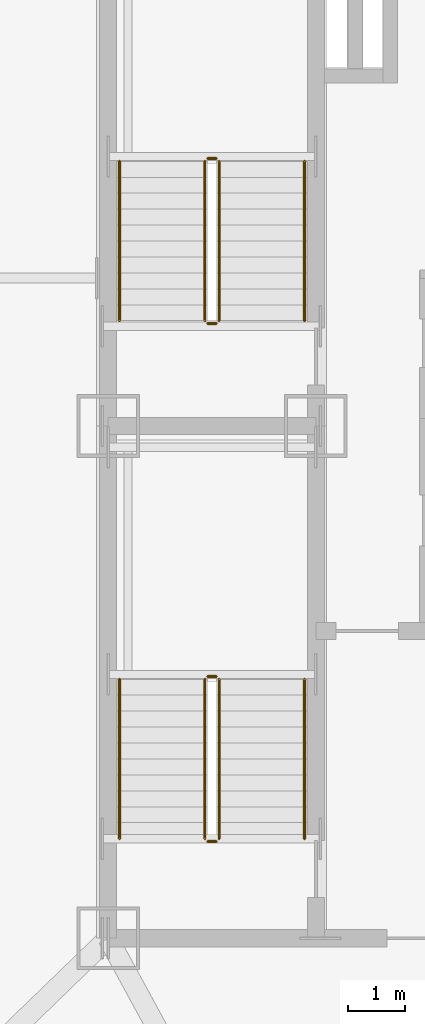
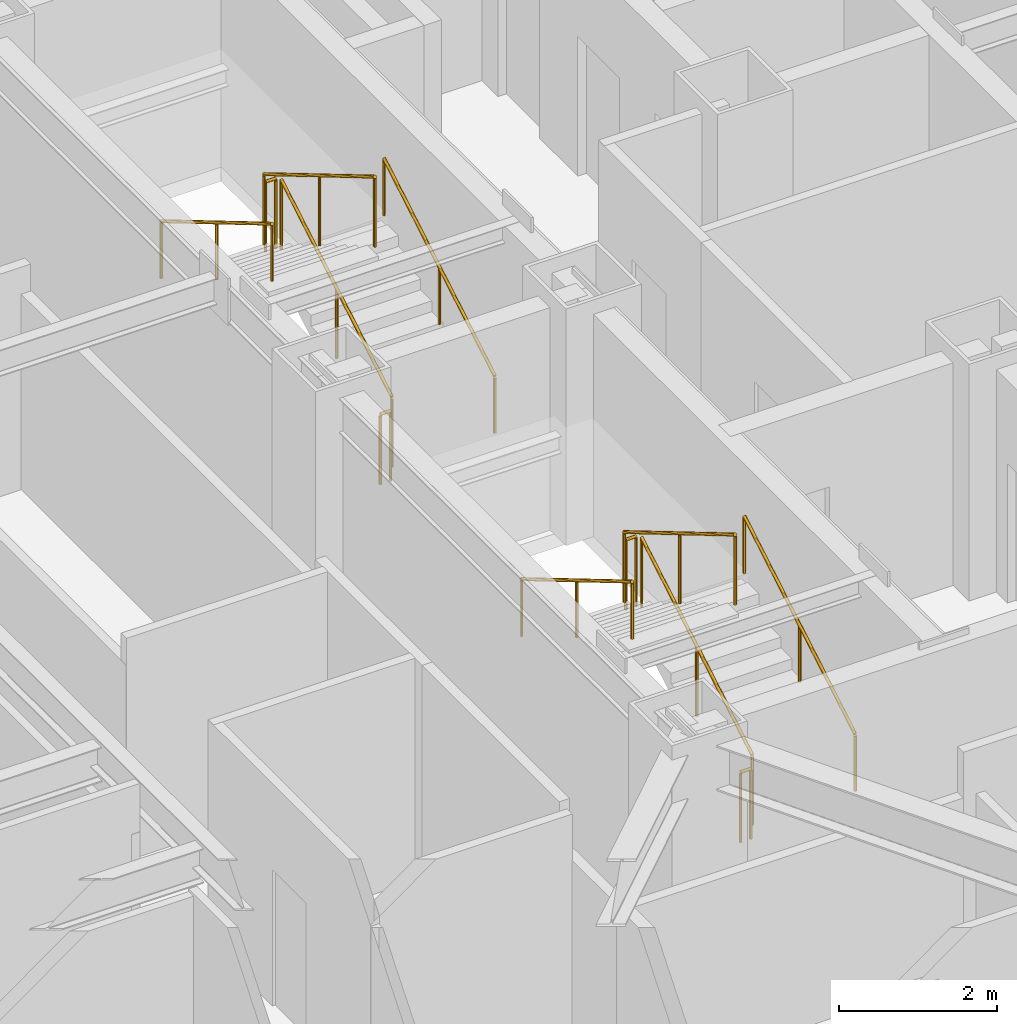
# One storey, part 12 of 12: 12 railings.
"""IFC4 building model written with IfcOpenShell, lengths in metres."""

from ifc_helpers import new_model, si_unit, direction, frame, origin, origin_2d, place, context, subcontext, project, spatial, circle, extrude, material, type_object, element, save


model = new_model("IFC4")

# Units and contexts
model_context = context("Model", 3, precision=1e-05, world=origin(), true_north=direction((0.0, 1.0)))
body_context = subcontext(model_context, "Body", "Model", "MODEL_VIEW")
ifc_project = project(units=[si_unit("LENGTHUNIT", "METRE"), si_unit("AREAUNIT", "SQUARE_METRE"), si_unit("VOLUMEUNIT", "CUBIC_METRE"), si_unit("PLANEANGLEUNIT", "RADIAN"), si_unit("MASSUNIT", "GRAM", prefix="KILO")], contexts=[model_context])

# Site, building, storey
site_placement = place(None, origin())
site = spatial("IfcSite", under=ifc_project, at=site_placement, CompositionType="ELEMENT")
building_placement = place(site_placement, origin())
building = spatial("IfcBuilding", under=site, at=building_placement, Name="Khamvora Tower", CompositionType="ELEMENT")
storey_placement = place(building_placement, frame((0.0, 0.0, 177.800048828125)))
storey = spatial("IfcBuildingStorey", under=building, at=storey_placement, Name="L45", CompositionType="ELEMENT", Elevation=177.800048828125)

# Railings
ifc_material_1 = material(Name="Brushed Stainless Steel 316", Category="steel")
railing_type_1 = type_object("IfcRailingType", Name="RAL-HDR-920", PredefinedType="HANDRAIL", material=ifc_material_1)
railing_1_placement = place(storey_placement, frame((32.449951171875, 20.75, 0.165771484375)))
element("IfcRailing", 1, at=railing_1_placement, inside=storey, type_object=railing_type_1, Name="L45 ST-01 stair handrail 1", PredefinedType="HANDRAIL", context=body_context, shape_type="SweptSolid", body=[
    extrude(circle(Radius=0.02392578125, at=origin_2d()), frame((0.0, 0.0, 0.8759765625), z_axis=(0.0, 0.860306154799, 0.50977771628), x_axis=(-1.0, 0.0, 0.0)), (0.0, 0.0, 1.0), 3.254638671875),
    extrude(circle(Radius=0.02099609375, at=origin_2d()), origin(), (0.0, 0.0, 1.0), 0.851806640625),
    extrude(circle(Radius=0.02099609375, at=origin_2d()), frame((0.0, 1.39990234375, 0.82958984375)), (0.0, 0.0, 1.0), 0.851806640625),
    extrude(circle(Radius=0.02099609375, at=origin_2d()), frame((0.0, 2.800048828125, 1.6591796875)), (0.0, 0.0, 1.0), 0.851806640625),
])
railing_2_placement = place(storey_placement, frame((29.199951171875, 23.550048828125, 1.990966796875)))
element("IfcRailing", 2, at=railing_2_placement, inside=storey, type_object=railing_type_1, Name="L45 ST-01 stair handrail 2", PredefinedType="HANDRAIL", context=body_context, shape_type="SweptSolid", body=[
    extrude(circle(Radius=0.02392578125, at=origin_2d()), frame((0.0, 0.0, 0.8759765625), z_axis=(0.0, -0.860339051648, 0.50972219513), x_axis=(1.0, 0.0, 0.0)), (0.0, 0.0, 1.0), 3.254638671875),
    extrude(circle(Radius=0.02099609375, at=origin_2d()), origin(), (0.0, 0.0, 1.0), 0.851806640625),
    extrude(circle(Radius=0.02099609375, at=origin_2d()), frame((0.0, -1.39990234375, 0.82958984375)), (0.0, 0.0, 1.0), 0.851806640625),
    extrude(circle(Radius=0.02099609375, at=origin_2d()), frame((0.0, -2.800048828125, 1.658935546875)), (0.0, 0.0, 1.0), 0.851806640625),
])
railing_3_placement = place(storey_placement, frame((32.449951171875, 29.85009765625, 0.165771484375)))
element("IfcRailing", 3, at=railing_3_placement, inside=storey, type_object=railing_type_1, Name="L45 ST-02 stair handrail 1", PredefinedType="HANDRAIL", context=body_context, shape_type="SweptSolid", body=[
    extrude(circle(Radius=0.02392578125, at=origin_2d()), frame((0.0, 0.0, 0.8759765625), z_axis=(0.0, 0.860286659441, 0.509810615413), x_axis=(-1.0, 0.0, 0.0)), (0.0, 0.0, 1.0), 3.25439453125),
    extrude(circle(Radius=0.02099609375, at=origin_2d()), origin(), (0.0, 0.0, 1.0), 0.851806640625),
    extrude(circle(Radius=0.02099609375, at=origin_2d()), frame((0.0, 1.39990234375, 0.82958984375)), (0.0, 0.0, 1.0), 0.851806640625),
    extrude(circle(Radius=0.02099609375, at=origin_2d()), frame((0.0, 2.7998046875, 1.6591796875)), (0.0, 0.0, 1.0), 0.851806640625),
])
railing_4_placement = place(storey_placement, frame((29.199951171875, 32.64990234375, 1.990966796875)))
element("IfcRailing", 4, at=railing_4_placement, inside=storey, type_object=railing_type_1, Name="L45 ST-02 stair handrail 2", PredefinedType="HANDRAIL", context=body_context, shape_type="SweptSolid", body=[
    extrude(circle(Radius=0.02392578125, at=origin_2d()), frame((0.0, 0.0, 0.8759765625), z_axis=(0.0, -0.860319559791, 0.509755093197), x_axis=(1.0, 0.0, 0.0)), (0.0, 0.0, 1.0), 3.25439453125),
    extrude(circle(Radius=0.02099609375, at=origin_2d()), origin(), (0.0, 0.0, 1.0), 0.851806640625),
    extrude(circle(Radius=0.02099609375, at=origin_2d()), frame((0.0, -1.39990234375, 0.82958984375)), (0.0, 0.0, 1.0), 0.851806640625),
    extrude(circle(Radius=0.02099609375, at=origin_2d()), frame((0.0, -2.7998046875, 1.658935546875)), (0.0, 0.0, 1.0), 0.851806640625),
])
ifc_material_2 = material(Name="Stainless Steel 316", Category="steel")
railing_type_2 = type_object("IfcRailingType", Name="RAL-STG-1100", PredefinedType="GUARDRAIL", material=ifc_material_2)
railing_5_placement = place(storey_placement, frame((30.949951171875, 20.75, 0.165771484375)))
element("IfcRailing", 5, at=railing_5_placement, inside=storey, type_object=railing_type_2, Name="L45 ST-01 stair guard 1", PredefinedType="GUARDRAIL", context=body_context, shape_type="SweptSolid", body=[
    extrude(circle(Radius=0.02392578125, at=origin_2d()), frame((0.0, 0.0, 1.076171875), z_axis=(0.0, 0.860306154799, 0.50977771628), x_axis=(-1.0, 0.0, 0.0)), (0.0, 0.0, 1.0), 3.254638671875),
    extrude(circle(Radius=0.02099609375, at=origin_2d()), origin(), (0.0, 0.0, 1.0), 1.052001953125),
    extrude(circle(Radius=0.02099609375, at=origin_2d()), frame((0.0, 1.39990234375, 0.82958984375)), (0.0, 0.0, 1.0), 1.052001953125),
    extrude(circle(Radius=0.02099609375, at=origin_2d()), frame((0.0, 2.800048828125, 1.6591796875)), (0.0, 0.0, 1.0), 1.052001953125),
])
railing_6_placement = place(storey_placement, frame((30.89990234375, 23.60009765625, 1.824951171875)))
element("IfcRailing", 6, at=railing_6_placement, inside=storey, type_object=railing_type_2, Name="L45 ST-01 stair guard 2", PredefinedType="GUARDRAIL", context=body_context, shape_type="SweptSolid", body=[
    extrude(circle(Radius=0.02392578125, at=origin_2d()), frame((0.0, 0.0, 1.076171875), z_axis=(-1.0, 0.0, 0.0), x_axis=(0.0, -1.0, 0.0)), (0.0, 0.0, 1.0), 0.14990234375),
    extrude(circle(Radius=0.02099609375, at=origin_2d()), origin(), (0.0, 0.0, 1.0), 1.052001953125),
    extrude(circle(Radius=0.02099609375, at=origin_2d()), frame((-0.14990234375, 0.0, 0.0)), (0.0, 0.0, 1.0), 1.052001953125),
])
railing_7_placement = place(storey_placement, frame((30.699951171875, 23.550048828125, 1.990966796875)))
element("IfcRailing", 7, at=railing_7_placement, inside=storey, type_object=railing_type_2, Name="L45 ST-01 stair guard 3", PredefinedType="GUARDRAIL", context=body_context, shape_type="SweptSolid", body=[
    extrude(circle(Radius=0.02392578125, at=origin_2d()), frame((0.0, 0.0, 1.076171875), z_axis=(0.0, -0.860339051648, 0.50972219513), x_axis=(1.0, 0.0, 0.0)), (0.0, 0.0, 1.0), 3.254638671875),
    extrude(circle(Radius=0.02099609375, at=origin_2d()), origin(), (0.0, 0.0, 1.0), 1.052001953125),
    extrude(circle(Radius=0.02099609375, at=origin_2d()), frame((0.0, -1.39990234375, 0.82958984375)), (0.0, 0.0, 1.0), 1.052001953125),
    extrude(circle(Radius=0.02099609375, at=origin_2d()), frame((0.0, -2.800048828125, 1.658935546875)), (0.0, 0.0, 1.0), 1.052001953125),
])
railing_8_placement = place(storey_placement, frame((30.89990234375, 20.699951171875, 0.0)))
element("IfcRailing", 8, at=railing_8_placement, inside=storey, type_object=railing_type_2, Name="L45 ST-01 stair guard 4", PredefinedType="GUARDRAIL", context=body_context, shape_type="SweptSolid", body=[
    extrude(circle(Radius=0.02392578125, at=origin_2d()), frame((0.0, 0.0, 1.076171875), z_axis=(-1.0, 0.0, 0.0), x_axis=(0.0, -1.0, 0.0)), (0.0, 0.0, 1.0), 0.14990234375),
    extrude(circle(Radius=0.02099609375, at=origin_2d()), origin(), (0.0, 0.0, 1.0), 1.052001953125),
    extrude(circle(Radius=0.02099609375, at=origin_2d()), frame((-0.14990234375, 0.0, 0.0)), (0.0, 0.0, 1.0), 1.052001953125),
])
railing_9_placement = place(storey_placement, frame((30.949951171875, 29.85009765625, 0.165771484375)))
element("IfcRailing", 9, at=railing_9_placement, inside=storey, type_object=railing_type_2, Name="L45 ST-02 stair guard 1", PredefinedType="GUARDRAIL", context=body_context, shape_type="SweptSolid", body=[
    extrude(circle(Radius=0.02392578125, at=origin_2d()), frame((0.0, 0.0, 1.076171875), z_axis=(0.0, 0.860286659441, 0.509810615413), x_axis=(-1.0, 0.0, 0.0)), (0.0, 0.0, 1.0), 3.25439453125),
    extrude(circle(Radius=0.02099609375, at=origin_2d()), origin(), (0.0, 0.0, 1.0), 1.052001953125),
    extrude(circle(Radius=0.02099609375, at=origin_2d()), frame((0.0, 1.39990234375, 0.82958984375)), (0.0, 0.0, 1.0), 1.052001953125),
    extrude(circle(Radius=0.02099609375, at=origin_2d()), frame((0.0, 2.7998046875, 1.6591796875)), (0.0, 0.0, 1.0), 1.052001953125),
])
railing_10_placement = place(storey_placement, frame((30.89990234375, 32.699951171875, 1.824951171875)))
element("IfcRailing", 10, at=railing_10_placement, inside=storey, type_object=railing_type_2, Name="L45 ST-02 stair guard 2", PredefinedType="GUARDRAIL", context=body_context, shape_type="SweptSolid", body=[
    extrude(circle(Radius=0.02392578125, at=origin_2d()), frame((0.0, 0.0, 1.076171875), z_axis=(-1.0, 0.0, 0.0), x_axis=(0.0, -1.0, 0.0)), (0.0, 0.0, 1.0), 0.14990234375),
    extrude(circle(Radius=0.02099609375, at=origin_2d()), origin(), (0.0, 0.0, 1.0), 1.052001953125),
    extrude(circle(Radius=0.02099609375, at=origin_2d()), frame((-0.14990234375, 0.0, 0.0)), (0.0, 0.0, 1.0), 1.052001953125),
])
railing_11_placement = place(storey_placement, frame((30.699951171875, 32.64990234375, 1.990966796875)))
element("IfcRailing", 11, at=railing_11_placement, inside=storey, type_object=railing_type_2, Name="L45 ST-02 stair guard 3", PredefinedType="GUARDRAIL", context=body_context, shape_type="SweptSolid", body=[
    extrude(circle(Radius=0.02392578125, at=origin_2d()), frame((0.0, 0.0, 1.076171875), z_axis=(0.0, -0.860319559791, 0.509755093197), x_axis=(1.0, 0.0, 0.0)), (0.0, 0.0, 1.0), 3.25439453125),
    extrude(circle(Radius=0.02099609375, at=origin_2d()), origin(), (0.0, 0.0, 1.0), 1.052001953125),
    extrude(circle(Radius=0.02099609375, at=origin_2d()), frame((0.0, -1.39990234375, 0.82958984375)), (0.0, 0.0, 1.0), 1.052001953125),
    extrude(circle(Radius=0.02099609375, at=origin_2d()), frame((0.0, -2.7998046875, 1.658935546875)), (0.0, 0.0, 1.0), 1.052001953125),
])
railing_12_placement = place(storey_placement, frame((30.89990234375, 29.800048828125, 0.0)))
element("IfcRailing", 12, at=railing_12_placement, inside=storey, type_object=railing_type_2, Name="L45 ST-02 stair guard 4", PredefinedType="GUARDRAIL", context=body_context, shape_type="SweptSolid", body=[
    extrude(circle(Radius=0.02392578125, at=origin_2d()), frame((0.0, 0.0, 1.076171875), z_axis=(-1.0, 0.0, 0.0), x_axis=(0.0, -1.0, 0.0)), (0.0, 0.0, 1.0), 0.14990234375),
    extrude(circle(Radius=0.02099609375, at=origin_2d()), origin(), (0.0, 0.0, 1.0), 1.052001953125),
    extrude(circle(Radius=0.02099609375, at=origin_2d()), frame((-0.14990234375, 0.0, 0.0)), (0.0, 0.0, 1.0), 1.052001953125),
])

save(model, "model.ifc")
